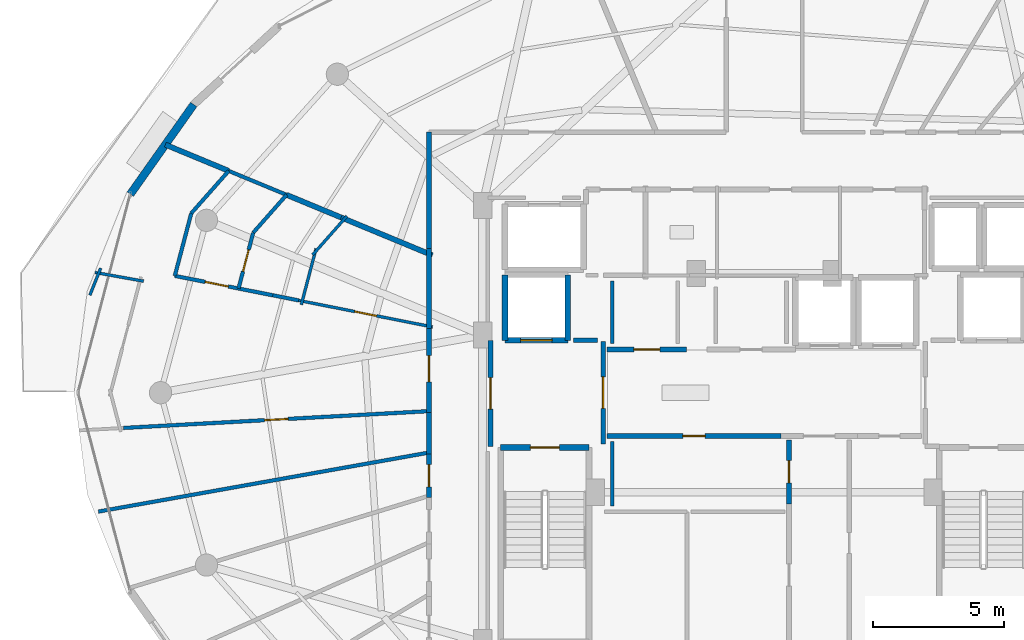
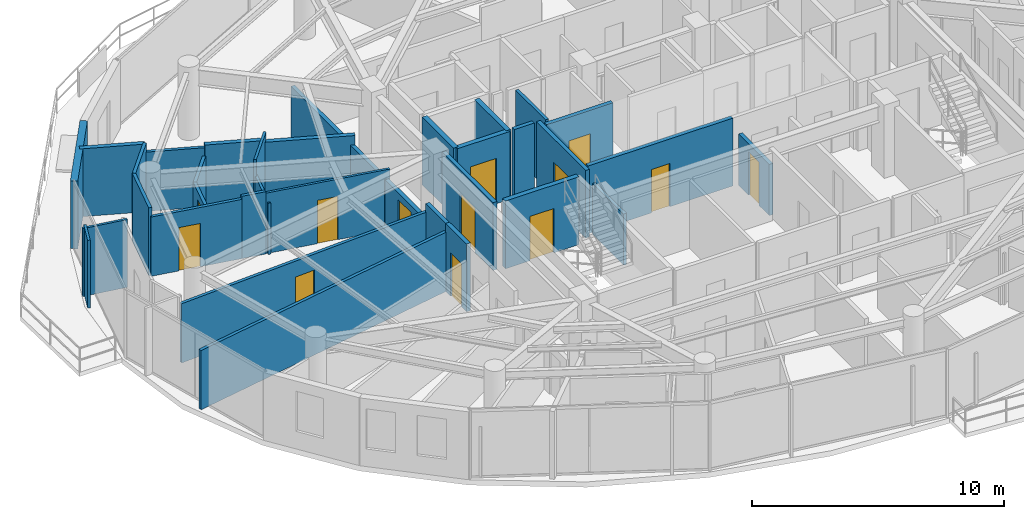
# One storey, part 21 of 29: 35 walls, 13 doors, 13 openings.
"""IFC4 building model written with IfcOpenShell, lengths in metres."""

from ifc_helpers import new_model, si_unit, direction, frame, frame_2d, origin, place, context, subcontext, project, spatial, rectangle, extrude, material, layer, layer_set, type_object, element, fill, save


model = new_model("IFC4")

# Units and contexts
model_context = context("Model", 3, precision=1e-05, world=origin(), true_north=direction((0.0, 1.0)))
body_context = subcontext(model_context, "Body", "Model", "MODEL_VIEW")
ifc_project = project(units=[si_unit("LENGTHUNIT", "METRE"), si_unit("AREAUNIT", "SQUARE_METRE"), si_unit("VOLUMEUNIT", "CUBIC_METRE"), si_unit("PLANEANGLEUNIT", "RADIAN"), si_unit("MASSUNIT", "GRAM", prefix="KILO")], contexts=[model_context])

# Site, building, storey
site_placement = place(None, origin())
site = spatial("IfcSite", under=ifc_project, at=site_placement, CompositionType="ELEMENT")
building_placement = place(site_placement, origin())
building = spatial("IfcBuilding", under=site, at=building_placement, Name="Vorneva Point Tower", CompositionType="ELEMENT")
storey_placement = place(building_placement, frame((0.0, 0.0, 259.10009765625)))
storey = spatial("IfcBuildingStorey", under=building, at=storey_placement, Name="L70", CompositionType="ELEMENT", Elevation=259.10009765625)

# Wall, opening, door
ifc_material_1 = material(Name="Concrete B60 (C50/60)", Category="concrete")
ifc_layer_1 = layer(ifc_material_1, 0.35009765625)
ifc_layer_set_1 = layer_set([ifc_layer_1], Name="Concrete B60 (C50/60)")
wall_type_1 = type_object("IfcWallType", Name="WL-CORE-350", PredefinedType="SHEAR", material=ifc_layer_set_1)
wall_1_placement = place(storey_placement, frame((28.10009765625, 28.0, 0.0), z_axis=(0.0, 0.0, 1.0), x_axis=(1.0, 0.0, 0.0)))
wall_1 = element("IfcWall", 1, at=wall_1_placement, inside=storey, type_object=wall_type_1, Name="L70 Lift FFL1 Shaft Wall -Y", PredefinedType="SHEAR", context=body_context, shape_type="SweptSolid", body=[
    extrude(rectangle(XDim=2.39990234375, YDim=0.219970703125, at=frame_2d((1.199951171875, 0.0))), origin(), (0.0, 0.0, 1.0), 3.289794921875),
])
opening_1_placement = place(wall_1_placement, frame((0.60009765625, 0.0, 0.0)))
opening_1 = element("IfcOpeningElement", 2, at=opening_1_placement, cuts=wall_1, Name="Opening LD-02", PredefinedType="OPENING", context=body_context, shape_type="SweptSolid", body=[
    extrude(rectangle(XDim=1.199951171875, YDim=2.199951171875, at=frame_2d((0.60009765625, 1.10009765625))), frame((0.0, 0.125, 0.0), z_axis=(0.0, -1.0, 0.0), x_axis=(1.0, 0.0, 0.0)), (0.0, 0.0, 1.0), 0.249755859375),
])
ifc_material_2 = material(Name="Brushed stainless steel S304", Category="steel")
door_type_1 = type_object("IfcDoorType", Name="LD-FIRE-1200", OperationType="SLIDING_TO_LEFT", PredefinedType="DOOR", material=ifc_material_2)
door_1_placement = place(opening_1_placement, origin())
door_1 = element("IfcDoor", 3, at=door_1_placement, inside=storey, type_object=door_type_1, Name="L70 Lift FFL1 Sliding Landing Door", OperationType="SLIDING_TO_LEFT", OverallHeight=2.199951171875, OverallWidth=1.199951171875, PredefinedType="DOOR", context=body_context, shape_type="SweptSolid", body=[
    extrude(rectangle(XDim=1.199951171875, YDim=2.199951171875, at=frame_2d((0.60009765625, 1.10009765625))), frame((0.0, 0.02490234375, 0.0), z_axis=(0.0, -1.0, 0.0), x_axis=(1.0, 0.0, 0.0)), (0.0, 0.0, 1.0), 0.050048828125),
])
fill(opening_1, door_1)

# Walls
for number, where, z_axis, x_axis, name in (
    (4, (30.5, 28.0, 0.0), (0.0, 0.0, 1.0), (0.0, 1.0, 0.0), "L70 Lift FFL1 Shaft Wall +X"),
    (5, (28.10009765625, 30.5, 0.0), (0.0, 0.0, 1.0), (0.0, -1.0, 0.0), "L70 Lift FFL1 Shaft Wall -X"),
):
    element("IfcWall", number, at=place(storey_placement, frame(where, z_axis=z_axis, x_axis=x_axis)), inside=storey, type_object=wall_type_1, Name=name, PredefinedType="SHEAR", context=body_context, shape_type="SweptSolid", body=[
        extrude(rectangle(XDim=2.5, YDim=0.219970703125, at=frame_2d((1.25, 0.0))), origin(), (0.0, 0.0, 1.0), 3.289794921875),
    ])
ifc_material_3 = material(Name="Precast concrete B50 (C40/50)", Category="concrete")
ifc_layer_2 = layer(ifc_material_3, 0.300048828125)
ifc_layer_set_2 = layer_set([ifc_layer_2], Name="Precast concrete B50 (C40/50)")
wall_type_2 = type_object("IfcWallType", Name="WL-EXT-300", PredefinedType="STANDARD", material=ifc_layer_set_2)
wall_2_placement = place(storey_placement, frame((16.215576171875, 37.005859375, 0.0), z_axis=(0.0, 0.0, 1.0), x_axis=(-0.577261247247, -0.816559521668, 0.0)))
element("IfcWall", 6, at=wall_2_placement, inside=storey, type_object=wall_type_2, Name="L70 Pale-Metal Facade Spandrel Wall 07.2", PredefinedType="STANDARD", context=body_context, shape_type="SweptSolid", body=[
    extrude(rectangle(XDim=4.194091796875, YDim=0.300048828125, at=frame_2d((2.09716796875, 0.0))), origin(), (0.0, 0.0, 1.0), 3.289794921875),
])

# Wall, opening, door
ifc_material_4 = material(Name="Fire-rated acoustic gypsum stud partition", Category="gypsum")
ifc_layer_3 = layer(ifc_material_4, 0.110107421875)
ifc_layer_set_3 = layer_set([ifc_layer_3], Name="Fire-rated acoustic gypsum stud partition")
wall_type_3 = type_object("IfcWallType", Name="WL-PART-110", PredefinedType="PARTITIONING", material=ifc_layer_set_3)
wall_3_placement = place(storey_placement, frame((25.33740234375, 28.5107421875, 0.0), z_axis=(0.0, 0.0, 1.0), x_axis=(-0.980930272027, 0.194359978959, 0.0)))
wall_3 = element("IfcWall", 7, at=wall_3_placement, inside=storey, type_object=wall_type_3, Name="L70 Interior Partition 072", PredefinedType="PARTITIONING", context=body_context, shape_type="SweptSolid", body=[
    extrude(rectangle(XDim=5.214111328125, YDim=0.110107421875, at=frame_2d((2.60693359375, 0.0))), origin(), (0.0, 0.0, 1.0), 2.935791015625),
])
opening_2_placement = place(wall_3_placement, frame((2.181884765625, 0.0, 0.0)))
opening_2 = element("IfcOpeningElement", 8, at=opening_2_placement, cuts=wall_3, Name="Opening ID-02", PredefinedType="OPENING", context=body_context, shape_type="SweptSolid", body=[
    extrude(rectangle(XDim=0.85009765625, YDim=2.10009765625, at=frame_2d((0.425048828125, 1.050048828125))), frame((0.0, 0.06982421875, 0.0), z_axis=(0.0, -1.0, 0.0), x_axis=(1.0, 0.0, 0.0)), (0.0, 0.0, 1.0), 0.139892578125),
])
ifc_material_5 = material(Name="Engineered oak fire-rated door leaf", Category="wood")
door_type_2 = type_object("IfcDoorType", Name="DR-BATH-850", OperationType="NOTDEFINED", PredefinedType="DOOR", material=ifc_material_5)
door_2_placement = place(opening_2_placement, origin())
door_2 = element("IfcDoor", 9, at=door_2_placement, inside=storey, type_object=door_type_2, Name="L70 Door Living and Dining Room L70-01 / Bathroom L70-01", OperationType="SINGLE_SWING_RIGHT", OverallHeight=2.10009765625, OverallWidth=0.85009765625, PredefinedType="DOOR", context=body_context, shape_type="SweptSolid", body=[
    extrude(rectangle(XDim=0.85009765625, YDim=2.10009765625, at=frame_2d((0.425048828125, 1.050048828125))), frame((0.0, 0.02490234375, 0.0), z_axis=(0.0, -1.0, 0.0), x_axis=(1.0, 0.0, 0.0)), (0.0, 0.0, 1.0), 0.050048828125),
])
fill(opening_2, door_2)

# Walls
wall_4_placement = place(storey_placement, frame((12.6630859375, 30.75390625, 0.0), z_axis=(0.0, 0.0, 1.0), x_axis=(-0.372150787983, -0.928172285195, 0.0)))
element("IfcWall", 10, at=wall_4_placement, inside=storey, type_object=wall_type_3, Name="L70 Interior Partition 073", PredefinedType="PARTITIONING", context=body_context, shape_type="SweptSolid", body=[
    extrude(rectangle(XDim=1.107421875, YDim=0.110107421875, at=frame_2d((0.5537109375, 0.0))), origin(), (0.0, 0.0, 1.0), 3.289794921875),
])
wall_5_placement = place(storey_placement, frame((12.4501953125, 30.591796875, 0.0), z_axis=(0.0, 0.0, 1.0), x_axis=(0.984212226867, -0.176992351488, 0.0)))
element("IfcWall", 11, at=wall_5_placement, inside=storey, type_object=wall_type_3, Name="L70 Interior Partition 074", PredefinedType="PARTITIONING", context=body_context, shape_type="SweptSolid", body=[
    extrude(rectangle(XDim=1.88427734375, YDim=0.110107421875, at=frame_2d((0.942138671875, 0.0))), origin(), (0.0, 0.0, 1.0), 3.289794921875),
])
wall_6_placement = place(storey_placement, frame((22.065673828125, 32.743896484375, 0.0), z_axis=(0.0, 0.0, 1.0), x_axis=(-0.662047420969, -0.749461948593, 0.0)))
element("IfcWall", 12, at=wall_6_placement, inside=storey, type_object=wall_type_3, Name="L70 Interior Partition 083", PredefinedType="PARTITIONING", context=body_context, shape_type="SweptSolid", body=[
    extrude(rectangle(XDim=1.9716796875, YDim=0.110107421875, at=frame_2d((0.98583984375, 0.0))), origin(), (0.0, 0.0, 1.0), 3.289794921875),
])
wall_7_placement = place(storey_placement, frame((20.888671875, 31.50634765625, 0.0), z_axis=(0.0, 0.0, 1.0), x_axis=(-0.254406599134, -0.967097348935, 0.0)))
element("IfcWall", 13, at=wall_7_placement, inside=storey, type_object=wall_type_3, Name="L70 Interior Partition 084", PredefinedType="PARTITIONING", context=body_context, shape_type="SweptSolid", body=[
    extrude(rectangle(XDim=2.2177734375, YDim=0.110107421875, at=frame_2d((1.10888671875, 0.0))), origin(), (0.0, 0.0, 1.0), 2.48193359375),
])

# Wall, opening, door
ifc_layer_4 = layer(ifc_material_4, 0.139892578125)
ifc_layer_set_4 = layer_set([ifc_layer_4], Name="Fire-rated acoustic gypsum stud partition")
wall_type_4 = type_object("IfcWallType", Name="WL-PART-140", PredefinedType="PARTITIONING", material=ifc_layer_set_4)
wall_8_placement = place(storey_placement, frame((19.236083984375, 29.719970703125, 0.0), z_axis=(0.0, 0.0, 1.0), x_axis=(-0.980906665774, 0.194479081243, 0.0)))
wall_8 = element("IfcWall", 14, at=wall_8_placement, inside=storey, type_object=wall_type_4, Name="L70 Interior Partition 068", PredefinedType="PARTITIONING", context=body_context, shape_type="SweptSolid", body=[
    extrude(rectangle(XDim=3.81494140625, YDim=0.139892578125, at=frame_2d((1.907470703125, 0.0))), origin(), (0.0, 0.0, 1.0), 2.8740234375),
])
opening_3_placement = place(wall_8_placement, frame((1.7373046875, 0.0, 0.0)))
opening_3 = element("IfcOpeningElement", 15, at=opening_3_placement, cuts=wall_8, Name="Opening ID-01", PredefinedType="OPENING", context=body_context, shape_type="SweptSolid", body=[
    extrude(rectangle(XDim=0.89990234375, YDim=2.10009765625, at=frame_2d((0.449951171875, 1.050048828125))), frame((0.0, 0.0849609375, 0.0), z_axis=(0.0, -1.0, 0.0), x_axis=(1.0, 0.0, 0.0)), (0.0, 0.0, 1.0), 0.169677734375),
])
door_type_3 = type_object("IfcDoorType", Name="DR-ROOM-900", OperationType="NOTDEFINED", PredefinedType="DOOR", material=ifc_material_5)
door_3_placement = place(opening_3_placement, origin())
door_3 = element("IfcDoor", 16, at=door_3_placement, inside=storey, type_object=door_type_3, Name="L70 Door Living and Dining Room L70-01 / Family Dining Room L70-01", OperationType="SINGLE_SWING_LEFT", OverallHeight=2.10009765625, OverallWidth=0.89990234375, PredefinedType="DOOR", context=body_context, shape_type="SweptSolid", body=[
    extrude(rectangle(XDim=0.89990234375, YDim=2.10009765625, at=frame_2d((0.449951171875, 1.050048828125))), frame((0.0, 0.02490234375, 0.0), z_axis=(0.0, -1.0, 0.0), x_axis=(1.0, 0.0, 0.0)), (0.0, 0.0, 1.0), 0.050048828125),
])
fill(opening_3, door_3)

# Walls
wall_9_placement = place(storey_placement, frame((15.493896484375, 30.4619140625, 0.0), z_axis=(0.0, 0.0, 1.0), x_axis=(0.254459276467, 0.967083489995, 0.0)))
element("IfcWall", 17, at=wall_9_placement, inside=storey, type_object=wall_type_4, Name="L70 Interior Partition 069", PredefinedType="PARTITIONING", context=body_context, shape_type="SweptSolid", body=[
    extrude(rectangle(XDim=2.472412109375, YDim=0.139892578125, at=frame_2d((1.236328125, 0.0))), origin(), (0.0, 0.0, 1.0), 3.289794921875),
])
wall_10_placement = place(storey_placement, frame((16.123046875, 32.85302734375, 0.0), z_axis=(0.0, 0.0, 1.0), x_axis=(0.662205183315, 0.749322557508, 0.0)))
element("IfcWall", 18, at=wall_10_placement, inside=storey, type_object=wall_type_4, Name="L70 Interior Partition 070", PredefinedType="PARTITIONING", context=body_context, shape_type="SweptSolid", body=[
    extrude(rectangle(XDim=2.157958984375, YDim=0.139892578125, at=frame_2d((1.0791015625, 0.0))), origin(), (0.0, 0.0, 1.0), 3.289794921875),
])
wall_11_placement = place(storey_placement, frame((17.552001953125, 34.469970703125, 0.0), z_axis=(0.0, 0.0, 1.0), x_axis=(0.923932252837, -0.382556129434, 0.0)))
element("IfcWall", 19, at=wall_11_placement, inside=storey, type_object=wall_type_4, Name="L70 Interior Partition 071", PredefinedType="PARTITIONING", context=body_context, shape_type="SweptSolid", body=[
    extrude(rectangle(XDim=2.391845703125, YDim=0.139892578125, at=frame_2d((1.19580078125, 0.0))), origin(), (0.0, 0.0, 1.0), 2.8740234375),
])
wall_12_placement = place(storey_placement, frame((20.22265625, 29.5244140625, 0.0), z_axis=(0.0, 0.0, 1.0), x_axis=(-0.98086901598, 0.194668881667, 0.0)))
element("IfcWall", 20, at=wall_12_placement, inside=storey, type_object=wall_type_4, Name="L70 Interior Partition 078", PredefinedType="PARTITIONING", context=body_context, shape_type="SweptSolid", body=[
    extrude(rectangle(XDim=1.005859375, YDim=0.139892578125, at=frame_2d((0.5029296875, 0.0))), origin(), (0.0, 0.0, 1.0), 3.02197265625),
])

# Wall, opening, door
wall_13_placement = place(storey_placement, frame((13.535888671875, 24.6533203125, 0.0), z_axis=(0.0, 0.0, 1.0), x_axis=(0.998485968097, 0.055007013313, 0.0)))
wall_13 = element("IfcWall", 21, at=wall_13_placement, inside=storey, type_object=wall_type_4, Name="L70 Interior Partition 079", PredefinedType="PARTITIONING", context=body_context, shape_type="SweptSolid", body=[
    extrude(rectangle(XDim=11.681640625, YDim=0.139892578125, at=frame_2d((5.8408203125, 0.0))), origin(), (0.0, 0.0, 1.0), 2.8740234375),
])
opening_4_placement = place(wall_13_placement, frame((5.390869140625, 0.0, 0.0)))
opening_4 = element("IfcOpeningElement", 22, at=opening_4_placement, cuts=wall_13, Name="Opening ID-01", PredefinedType="OPENING", context=body_context, shape_type="SweptSolid", body=[
    extrude(rectangle(XDim=0.89990234375, YDim=2.10009765625, at=frame_2d((0.449951171875, 1.050048828125))), frame((0.0, 0.0849609375, 0.0), z_axis=(0.0, -1.0, 0.0), x_axis=(1.0, 0.0, 0.0)), (0.0, 0.0, 1.0), 0.169677734375),
])
door_4_placement = place(opening_4_placement, origin())
door_4 = element("IfcDoor", 23, at=door_4_placement, inside=storey, type_object=door_type_3, Name="L70 Door Living and Dining Room L70-01 / Master Bedroom L70-01.1", OperationType="SINGLE_SWING_LEFT", OverallHeight=2.10009765625, OverallWidth=0.89990234375, PredefinedType="DOOR", context=body_context, shape_type="SweptSolid", body=[
    extrude(rectangle(XDim=0.89990234375, YDim=2.10009765625, at=frame_2d((0.449951171875, 1.050048828125))), frame((0.0, 0.02490234375, 0.0), z_axis=(0.0, -1.0, 0.0), x_axis=(1.0, 0.0, 0.0)), (0.0, 0.0, 1.0), 0.050048828125),
])
fill(opening_4, door_4)

wall_14_placement = place(storey_placement, frame((17.927001953125, 29.97998046875, 0.0), z_axis=(0.0, 0.0, 1.0), x_axis=(0.254476946675, 0.967078840432, 0.0)))
wall_14 = element("IfcWall", 24, at=wall_14_placement, inside=storey, type_object=wall_type_4, Name="L70 Interior Partition 081", PredefinedType="PARTITIONING", context=body_context, shape_type="SweptSolid", body=[
    extrude(rectangle(XDim=2.20458984375, YDim=0.139892578125, at=frame_2d((1.102294921875, 0.0))), origin(), (0.0, 0.0, 1.0), 2.48193359375),
])
opening_5_placement = place(wall_14_placement, frame((0.67724609375, 0.0, 0.0)))
opening_5 = element("IfcOpeningElement", 25, at=opening_5_placement, cuts=wall_14, Name="Opening ID-02", PredefinedType="OPENING", context=body_context, shape_type="SweptSolid", body=[
    extrude(rectangle(XDim=0.85009765625, YDim=2.10009765625, at=frame_2d((0.425048828125, 1.050048828125))), frame((0.0, 0.0849609375, 0.0), z_axis=(0.0, -1.0, 0.0), x_axis=(1.0, 0.0, 0.0)), (0.0, 0.0, 1.0), 0.169677734375),
])
door_5_placement = place(opening_5_placement, origin())
door_5 = element("IfcDoor", 26, at=door_5_placement, inside=storey, type_object=door_type_2, Name="L70 Access Door Family Dining Room L70-01", OperationType="SINGLE_SWING_RIGHT", OverallHeight=2.10009765625, OverallWidth=0.85009765625, PredefinedType="DOOR", context=body_context, shape_type="SweptSolid", body=[
    extrude(rectangle(XDim=0.85009765625, YDim=2.10009765625, at=frame_2d((0.425048828125, 1.050048828125))), frame((0.0, 0.02490234375, 0.0), z_axis=(0.0, -1.0, 0.0), x_axis=(1.0, 0.0, 0.0)), (0.0, 0.0, 1.0), 0.050048828125),
])
fill(opening_5, door_5)

# Walls
wall_15_placement = place(storey_placement, frame((18.488037109375, 32.112060546875, 0.0), z_axis=(0.0, 0.0, 1.0), x_axis=(0.661856531983, 0.749630529709, 0.0)))
element("IfcWall", 27, at=wall_15_placement, inside=storey, type_object=wall_type_4, Name="L70 Interior Partition 082", PredefinedType="PARTITIONING", context=body_context, shape_type="SweptSolid", body=[
    extrude(rectangle(XDim=1.9248046875, YDim=0.139892578125, at=frame_2d((0.96240234375, 0.0))), origin(), (0.0, 0.0, 1.0), 2.48193359375),
])
wall_16_placement = place(storey_placement, frame((12.576904296875, 21.4599609375, 0.0), z_axis=(0.0, 0.0, 1.0), x_axis=(0.984427104809, 0.175793274383, 0.0)))
element("IfcWall", 28, at=wall_16_placement, inside=storey, type_object=wall_type_4, Name="L70 Interior Partition 087", PredefinedType="PARTITIONING", context=body_context, shape_type="SweptSolid", body=[
    extrude(rectangle(XDim=12.82275390625, YDim=0.139892578125, at=frame_2d((6.411376953125, 0.0))), origin(), (0.0, 0.0, 1.0), 2.8740234375),
])
wall_17_placement = place(storey_placement, frame((32.199951171875, 30.260009765625, 0.0), z_axis=(0.0, 0.0, 1.0), x_axis=(0.0, -1.0, 0.0)))
element("IfcWall", 29, at=wall_17_placement, inside=storey, type_object=wall_type_4, Name="L70 Interior Closure Partition 147", PredefinedType="PARTITIONING", context=body_context, shape_type="SweptSolid", body=[
    extrude(rectangle(XDim=2.389892578125, YDim=0.139892578125, at=frame_2d((1.19482421875, 0.0))), origin(), (0.0, 0.0, 1.0), 3.289794921875),
])
wall_18_placement = place(storey_placement, frame((32.199951171875, 24.1298828125, 0.0), z_axis=(0.0, 0.0, 1.0), x_axis=(0.0, -1.0, 0.0)))
element("IfcWall", 30, at=wall_18_placement, inside=storey, type_object=wall_type_4, Name="L70 Interior Closure Partition 151", PredefinedType="PARTITIONING", context=body_context, shape_type="SweptSolid", body=[
    extrude(rectangle(XDim=2.4599609375, YDim=0.139892578125, at=frame_2d((1.22998046875, 0.0))), origin(), (0.0, 0.0, 1.0), 2.48193359375),
])

# Wall, opening, door
ifc_material_6 = material(Name="Autoclaved aerated concrete blockwork", Category="masonry")
ifc_layer_5 = layer(ifc_material_6, 0.179931640625)
ifc_layer_set_5 = layer_set([ifc_layer_5], Name="Autoclaved aerated concrete blockwork")
wall_type_5 = type_object("IfcWallType", Name="WL-PART-180", PredefinedType="PARTITIONING", material=ifc_layer_set_5)
wall_19_placement = place(storey_placement, frame((31.85009765625, 24.044921875, 0.0), z_axis=(0.0, 0.0, 1.0), x_axis=(0.0, 1.0, 0.0)))
wall_19 = element("IfcWall", 31, at=wall_19_placement, inside=storey, type_object=wall_type_5, Name="L70 Interior Partition 001", PredefinedType="PARTITIONING", context=body_context, shape_type="SweptSolid", body=[
    extrude(rectangle(XDim=3.91015625, YDim=0.179931640625, at=frame_2d((1.955078125, 0.0))), origin(), (0.0, 0.0, 1.0), 3.289794921875),
])
opening_6_placement = place(wall_19_placement, frame((1.35498046875, 0.0, 0.0)))
opening_6 = element("IfcOpeningElement", 32, at=opening_6_placement, cuts=wall_19, Name="Opening FD-02", PredefinedType="OPENING", context=body_context, shape_type="SweptSolid", body=[
    extrude(rectangle(XDim=1.199951171875, YDim=2.14990234375, at=frame_2d((0.60009765625, 1.074951171875))), frame((0.0, 0.10498046875, 0.0), z_axis=(0.0, -1.0, 0.0), x_axis=(1.0, 0.0, 0.0)), (0.0, 0.0, 1.0), 0.209716796875),
])
ifc_material_7 = material(Name="Fire-rated powder-coated steel", Category="steel")
door_type_4 = type_object("IfcDoorType", Name="DR-FFL-1200", OperationType="NOTDEFINED", PredefinedType="DOOR", material=ifc_material_7)
door_6_placement = place(opening_6_placement, origin())
door_6 = element("IfcDoor", 33, at=door_6_placement, inside=storey, type_object=door_type_4, Name="L70 Door West Firefighting Lobby / Central Lift Lobby", OperationType="SINGLE_SWING_LEFT", OverallHeight=2.14990234375, OverallWidth=1.199951171875, PredefinedType="DOOR", context=body_context, shape_type="SweptSolid", body=[
    extrude(rectangle(XDim=1.199951171875, YDim=2.14990234375, at=frame_2d((0.60009765625, 1.074951171875))), frame((0.0, 0.02490234375, 0.0), z_axis=(0.0, -1.0, 0.0), x_axis=(1.0, 0.0, 0.0)), (0.0, 0.0, 1.0), 0.050048828125),
])
fill(opening_6, door_6)

wall_20_placement = place(storey_placement, frame((27.550048828125, 28.0, 0.0), z_axis=(0.0, 0.0, 1.0), x_axis=(0.0, -1.0, 0.0)))
wall_20 = element("IfcWall", 34, at=wall_20_placement, inside=storey, type_object=wall_type_5, Name="L70 Interior Partition 002", PredefinedType="PARTITIONING", context=body_context, shape_type="SweptSolid", body=[
    extrude(rectangle(XDim=4.050048828125, YDim=0.179931640625, at=frame_2d((2.02490234375, 0.0))), origin(), (0.0, 0.0, 1.0), 3.289794921875),
])
opening_7_placement = place(wall_20_placement, frame((1.425048828125, 0.0, 0.0)))
opening_7 = element("IfcOpeningElement", 35, at=opening_7_placement, cuts=wall_20, Name="Opening FD-02", PredefinedType="OPENING", context=body_context, shape_type="SweptSolid", body=[
    extrude(rectangle(XDim=1.199951171875, YDim=2.14990234375, at=frame_2d((0.60009765625, 1.074951171875))), frame((0.0, 0.10498046875, 0.0), z_axis=(0.0, -1.0, 0.0), x_axis=(1.0, 0.0, 0.0)), (0.0, 0.0, 1.0), 0.209716796875),
])
door_7_placement = place(opening_7_placement, origin())
door_7 = element("IfcDoor", 36, at=door_7_placement, inside=storey, type_object=door_type_4, Name="L70 Door West Firefighting Lobby / L70 Circulation Corridor", OperationType="SINGLE_SWING_RIGHT", OverallHeight=2.14990234375, OverallWidth=1.199951171875, PredefinedType="DOOR", context=body_context, shape_type="SweptSolid", body=[
    extrude(rectangle(XDim=1.199951171875, YDim=2.14990234375, at=frame_2d((0.60009765625, 1.074951171875))), frame((0.0, 0.02490234375, 0.0), z_axis=(0.0, -1.0, 0.0), x_axis=(1.0, 0.0, 0.0)), (0.0, 0.0, 1.0), 0.050048828125),
])
fill(opening_7, door_7)

wall_21_placement = place(storey_placement, frame((35.0400390625, 27.64990234375, 0.0), z_axis=(0.0, 0.0, 1.0), x_axis=(-1.0, 0.0, 0.0)))
wall_21 = element("IfcWall", 37, at=wall_21_placement, inside=storey, type_object=wall_type_5, Name="L70 Interior Partition 012", PredefinedType="PARTITIONING", context=body_context, shape_type="SweptSolid", body=[
    extrude(rectangle(XDim=3.0400390625, YDim=0.179931640625, at=frame_2d((1.52001953125, 0.0))), origin(), (0.0, 0.0, 1.0), 3.289794921875),
])
opening_8_placement = place(wall_21_placement, frame((1.02001953125, 0.0, 0.0)))
opening_8 = element("IfcOpeningElement", 38, at=opening_8_placement, cuts=wall_21, Name="Opening UD-01", PredefinedType="OPENING", context=body_context, shape_type="SweptSolid", body=[
    extrude(rectangle(XDim=1.0, YDim=2.14990234375, at=frame_2d((0.5, 1.074951171875))), frame((0.0, 0.10498046875, 0.0), z_axis=(0.0, -1.0, 0.0), x_axis=(1.0, 0.0, 0.0)), (0.0, 0.0, 1.0), 0.209716796875),
])
door_type_5 = type_object("IfcDoorType", Name="DR-UNIT-1000", OperationType="NOTDEFINED", PredefinedType="DOOR", material=ifc_material_5)
door_8_placement = place(opening_8_placement, origin())
door_8 = element("IfcDoor", 39, at=door_8_placement, inside=storey, type_object=door_type_5, Name="L70 Door Central Lift Lobby / Reclaimed Core Lounge", OperationType="SINGLE_SWING_RIGHT", OverallHeight=2.14990234375, OverallWidth=1.0, PredefinedType="DOOR", context=body_context, shape_type="SweptSolid", body=[
    extrude(rectangle(XDim=1.0, YDim=2.14990234375, at=frame_2d((0.5, 1.074951171875))), frame((0.0, 0.02490234375, 0.0), z_axis=(0.0, -1.0, 0.0), x_axis=(1.0, 0.0, 0.0)), (0.0, 0.0, 1.0), 0.050048828125),
])
fill(opening_8, door_8)

wall_22_placement = place(storey_placement, frame((32.0, 24.35009765625, 0.0), z_axis=(0.0, 0.0, 1.0), x_axis=(1.0, 0.0, 0.0)))
wall_22 = element("IfcWall", 40, at=wall_22_placement, inside=storey, type_object=wall_type_5, Name="L70 Interior Partition 014", PredefinedType="PARTITIONING", context=body_context, shape_type="SweptSolid", body=[
    extrude(rectangle(XDim=6.64501953125, YDim=0.179931640625, at=frame_2d((3.322509765625, 0.0))), origin(), (0.0, 0.0, 1.0), 3.289794921875),
])
opening_9_placement = place(wall_22_placement, frame((2.8974609375, 0.0, 0.0)))
opening_9 = element("IfcOpeningElement", 41, at=opening_9_placement, cuts=wall_22, Name="Opening ID-02", PredefinedType="OPENING", context=body_context, shape_type="SweptSolid", body=[
    extrude(rectangle(XDim=0.85009765625, YDim=2.10009765625, at=frame_2d((0.425048828125, 1.050048828125))), frame((0.0, 0.10498046875, 0.0), z_axis=(0.0, -1.0, 0.0), x_axis=(1.0, 0.0, 0.0)), (0.0, 0.0, 1.0), 0.209716796875),
])
door_9_placement = place(opening_9_placement, origin())
door_9 = element("IfcDoor", 42, at=door_9_placement, inside=storey, type_object=door_type_2, Name="L70 Door Central Lift Lobby / Reclaimed High-Zone Wine Vault", OperationType="SINGLE_SWING_RIGHT", OverallHeight=2.10009765625, OverallWidth=0.85009765625, PredefinedType="DOOR", context=body_context, shape_type="SweptSolid", body=[
    extrude(rectangle(XDim=0.85009765625, YDim=2.10009765625, at=frame_2d((0.425048828125, 1.050048828125))), frame((0.0, 0.02490234375, 0.0), z_axis=(0.0, -1.0, 0.0), x_axis=(1.0, 0.0, 0.0)), (0.0, 0.0, 1.0), 0.050048828125),
])
fill(opening_9, door_9)

wall_23_placement = place(storey_placement, frame((38.949951171875, 24.199951171875, 0.0), z_axis=(0.0, 0.0, 1.0), x_axis=(0.0, -1.0, 0.0)))
wall_23 = element("IfcWall", 43, at=wall_23_placement, inside=storey, type_object=wall_type_5, Name="L70 Interior Partition 017", PredefinedType="PARTITIONING", context=body_context, shape_type="SweptSolid", body=[
    extrude(rectangle(XDim=2.445068359375, YDim=0.179931640625, at=frame_2d((1.22265625, 0.0))), origin(), (0.0, 0.0, 1.0), 2.48193359375),
])
opening_10_placement = place(wall_23_placement, frame((0.797607421875, 0.0, 0.0)))
opening_10 = element("IfcOpeningElement", 44, at=opening_10_placement, cuts=wall_23, Name="Opening ID-02", PredefinedType="OPENING", context=body_context, shape_type="SweptSolid", body=[
    extrude(rectangle(XDim=0.85009765625, YDim=2.10009765625, at=frame_2d((0.425048828125, 1.050048828125))), frame((0.0, 0.10498046875, 0.0), z_axis=(0.0, -1.0, 0.0), x_axis=(1.0, 0.0, 0.0)), (0.0, 0.0, 1.0), 0.209716796875),
])
door_10_placement = place(opening_10_placement, origin())
door_10 = element("IfcDoor", 45, at=door_10_placement, inside=storey, type_object=door_type_2, Name="L70 Door Core Service Lobby / Reclaimed High-Zone Wine Vault", OperationType="SINGLE_SWING_LEFT", OverallHeight=2.10009765625, OverallWidth=0.85009765625, PredefinedType="DOOR", context=body_context, shape_type="SweptSolid", body=[
    extrude(rectangle(XDim=0.85009765625, YDim=2.10009765625, at=frame_2d((0.425048828125, 1.050048828125))), frame((0.0, 0.02490234375, 0.0), z_axis=(0.0, -1.0, 0.0), x_axis=(1.0, 0.0, 0.0)), (0.0, 0.0, 1.0), 0.050048828125),
])
fill(opening_10, door_10)

wall_24_placement = place(storey_placement, frame((25.199951171875, 28.59912109375, 0.0), z_axis=(0.0, 0.0, 1.0), x_axis=(0.0, -1.0, 0.0)))
wall_24 = element("IfcWall", 46, at=wall_24_placement, inside=storey, type_object=wall_type_5, Name="L70 Interior Partition 033", PredefinedType="PARTITIONING", context=body_context, shape_type="SweptSolid", body=[
    extrude(rectangle(XDim=3.363037109375, YDim=0.179931640625, at=frame_2d((1.681640625, 0.0))), origin(), (0.0, 0.0, 1.0), 2.48193359375),
])
opening_11_placement = place(wall_24_placement, frame((1.181396484375, 0.0, 0.0)))
opening_11 = element("IfcOpeningElement", 47, at=opening_11_placement, cuts=wall_24, Name="Opening UD-01", PredefinedType="OPENING", context=body_context, shape_type="SweptSolid", body=[
    extrude(rectangle(XDim=1.0, YDim=2.14990234375, at=frame_2d((0.5, 1.074951171875))), frame((0.0, 0.10498046875, 0.0), z_axis=(0.0, -1.0, 0.0), x_axis=(1.0, 0.0, 0.0)), (0.0, 0.0, 1.0), 0.209716796875),
])
door_11_placement = place(opening_11_placement, origin())
door_11 = element("IfcDoor", 48, at=door_11_placement, inside=storey, type_object=door_type_5, Name="L70 Door L70 Circulation Corridor / Living and Dining Room L70-01", OperationType="SINGLE_SWING_LEFT", OverallHeight=2.14990234375, OverallWidth=1.0, PredefinedType="DOOR", context=body_context, shape_type="SweptSolid", body=[
    extrude(rectangle(XDim=1.0, YDim=2.14990234375, at=frame_2d((0.5, 1.074951171875))), frame((0.0, 0.02490234375, 0.0), z_axis=(0.0, -1.0, 0.0), x_axis=(1.0, 0.0, 0.0)), (0.0, 0.0, 1.0), 0.050048828125),
])
fill(opening_11, door_11)

# Walls
wall_25_placement = place(storey_placement, frame((25.199951171875, 31.507080078125, 0.0), z_axis=(0.0, 0.0, 1.0), x_axis=(0.0, -1.0, 0.0)))
element("IfcWall", 49, at=wall_25_placement, inside=storey, type_object=wall_type_5, Name="L70 Interior Partition 034", PredefinedType="PARTITIONING", context=body_context, shape_type="SweptSolid", body=[
    extrude(rectangle(XDim=3.048095703125, YDim=0.179931640625, at=frame_2d((1.52392578125, 0.0))), origin(), (0.0, 0.0, 1.0), 2.48193359375),
])
wall_26_placement = place(storey_placement, frame((25.199951171875, 25.236083984375, 0.0), z_axis=(0.0, 0.0, 1.0), x_axis=(0.0, -1.0, 0.0)))
element("IfcWall", 50, at=wall_26_placement, inside=storey, type_object=wall_type_5, Name="L70 Interior Partition 035", PredefinedType="PARTITIONING", context=body_context, shape_type="SweptSolid", body=[
    extrude(rectangle(XDim=1.5830078125, YDim=0.179931640625, at=frame_2d((0.79150390625, 0.0))), origin(), (0.0, 0.0, 1.0), 3.289794921875),
])

# Wall, opening, door
wall_27_placement = place(storey_placement, frame((25.199951171875, 23.653076171875, 0.0), z_axis=(0.0, 0.0, 1.0), x_axis=(0.0, -1.0, 0.0)))
wall_27 = element("IfcWall", 51, at=wall_27_placement, inside=storey, type_object=wall_type_5, Name="L70 Interior Partition 036", PredefinedType="PARTITIONING", context=body_context, shape_type="SweptSolid", body=[
    extrude(rectangle(XDim=1.654052734375, YDim=0.179931640625, at=frame_2d((0.8271484375, 0.0))), origin(), (0.0, 0.0, 1.0), 3.289794921875),
])
opening_12_placement = place(wall_27_placement, frame((0.402099609375, 0.0, 0.0)))
opening_12 = element("IfcOpeningElement", 52, at=opening_12_placement, cuts=wall_27, Name="Opening ID-02", PredefinedType="OPENING", context=body_context, shape_type="SweptSolid", body=[
    extrude(rectangle(XDim=0.85009765625, YDim=2.10009765625, at=frame_2d((0.425048828125, 1.050048828125))), frame((0.0, 0.10498046875, 0.0), z_axis=(0.0, -1.0, 0.0), x_axis=(1.0, 0.0, 0.0)), (0.0, 0.0, 1.0), 0.209716796875),
])
door_12_placement = place(opening_12_placement, origin())
door_12 = element("IfcDoor", 53, at=door_12_placement, inside=storey, type_object=door_type_2, Name="L70 Access Door L70 Circulation Corridor", OperationType="SINGLE_SWING_RIGHT", OverallHeight=2.10009765625, OverallWidth=0.85009765625, PredefinedType="DOOR", context=body_context, shape_type="SweptSolid", body=[
    extrude(rectangle(XDim=0.85009765625, YDim=2.10009765625, at=frame_2d((0.425048828125, 1.050048828125))), frame((0.0, 0.02490234375, 0.0), z_axis=(0.0, -1.0, 0.0), x_axis=(1.0, 0.0, 0.0)), (0.0, 0.0, 1.0), 0.050048828125),
])
fill(opening_12, door_12)

# Walls
wall_28_placement = place(storey_placement, frame((25.199951171875, 35.949951171875, 0.0), z_axis=(0.0, 0.0, 1.0), x_axis=(0.0, -1.0, 0.0)))
element("IfcWall", 54, at=wall_28_placement, inside=storey, type_object=wall_type_5, Name="L70 Interior Partition 067", PredefinedType="PARTITIONING", context=body_context, shape_type="SweptSolid", body=[
    extrude(rectangle(XDim=4.44287109375, YDim=0.179931640625, at=frame_2d((2.221435546875, 0.0))), origin(), (0.0, 0.0, 1.0), 2.48193359375),
])
wall_29_placement = place(storey_placement, frame((31.635009765625, 28.0, 0.0), z_axis=(0.0, 0.0, 1.0), x_axis=(-1.0, 0.0, 0.0)))
element("IfcWall", 55, at=wall_29_placement, inside=storey, type_object=wall_type_5, Name="L70 Interior Closure Partition 141", PredefinedType="PARTITIONING", context=body_context, shape_type="SweptSolid", body=[
    extrude(rectangle(XDim=0.9150390625, YDim=0.179931640625, at=frame_2d((0.45751953125, 0.0))), origin(), (0.0, 0.0, 1.0), 3.289794921875),
])
ifc_layer_6 = layer(ifc_material_6, 0.199951171875)
ifc_layer_set_6 = layer_set([ifc_layer_6], Name="Autoclaved aerated concrete blockwork")
wall_type_6 = type_object("IfcWallType", Name="WL-PART-200", PredefinedType="PARTITIONING", material=ifc_layer_set_6)
wall_30_placement = place(storey_placement, frame((17.552001953125, 34.47021484375, 0.0), z_axis=(0.0, 0.0, 1.0), x_axis=(-0.9239134198, 0.382601610965, 0.0)))
element("IfcWall", 56, at=wall_30_placement, inside=storey, type_object=wall_type_6, Name="L70 Interior Partition 080", PredefinedType="PARTITIONING", context=body_context, shape_type="SweptSolid", body=[
    extrude(rectangle(XDim=2.6181640625, YDim=0.199951171875, at=frame_2d((1.30908203125, 0.0))), origin(), (0.0, 0.0, 1.0), 3.289794921875),
])
wall_31_placement = place(storey_placement, frame((25.329345703125, 31.248291015625, 0.0), z_axis=(0.0, 0.0, 1.0), x_axis=(-0.923827524065, 0.382808967736, 0.0)))
element("IfcWall", 57, at=wall_31_placement, inside=storey, type_object=wall_type_6, Name="L70 Interior Partition 085", PredefinedType="PARTITIONING", context=body_context, shape_type="SweptSolid", body=[
    extrude(rectangle(XDim=3.77294921875, YDim=0.199951171875, at=frame_2d((1.886474609375, 0.0))), origin(), (0.0, 0.0, 1.0), 2.935791015625),
])
wall_32_placement = place(storey_placement, frame((21.84375, 32.692626953125, 0.0), z_axis=(0.0, 0.0, 1.0), x_axis=(-0.92387949598, 0.382683520559, 0.0)))
element("IfcWall", 58, at=wall_32_placement, inside=storey, type_object=wall_type_6, Name="L70 Interior Partition 086", PredefinedType="PARTITIONING", context=body_context, shape_type="SweptSolid", body=[
    extrude(rectangle(XDim=2.25341796875, YDim=0.199951171875, at=frame_2d((1.126708984375, 0.0))), origin(), (0.0, 0.0, 1.0), 3.02197265625),
])

# Wall, opening, door
ifc_material_8 = material(Name="Concrete B50 (C40/50)", Category="concrete")
ifc_layer_7 = layer(ifc_material_8, 0.219970703125)
ifc_layer_set_7 = layer_set([ifc_layer_7], Name="Concrete B50 (C40/50)")
wall_type_7 = type_object("IfcWallType", Name="WL-SHFT-220", PredefinedType="SOLIDWALL", material=ifc_layer_set_7)
wall_33_placement = place(storey_placement, frame((27.93994140625, 23.909912109375, 0.0), z_axis=(0.0, 0.0, 1.0), x_axis=(1.0, 0.0, 0.0)))
wall_33 = element("IfcWall", 59, at=wall_33_placement, inside=storey, type_object=wall_type_7, Name="L70 Exit Stair ST1 Shaft Wall near", PredefinedType="SOLIDWALL", context=body_context, shape_type="SweptSolid", body=[
    extrude(rectangle(XDim=3.3701171875, YDim=0.219970703125, at=frame_2d((1.68505859375, 0.0))), origin(), (0.0, 0.0, 1.0), 3.289794921875),
])
opening_13_placement = place(wall_33_placement, frame((1.135009765625, 0.0, 0.0)))
opening_13 = element("IfcOpeningElement", 60, at=opening_13_placement, cuts=wall_33, Name="Opening FD-01", PredefinedType="OPENING", context=body_context, shape_type="SweptSolid", body=[
    extrude(rectangle(XDim=1.10009765625, YDim=2.14990234375, at=frame_2d((0.550048828125, 1.074951171875))), frame((0.0, 0.125, 0.0), z_axis=(0.0, -1.0, 0.0), x_axis=(1.0, 0.0, 0.0)), (0.0, 0.0, 1.0), 0.249755859375),
])
door_type_6 = type_object("IfcDoorType", Name="DR-STAIR-1100", OperationType="NOTDEFINED", PredefinedType="DOOR", material=ifc_material_7)
door_13_placement = place(opening_13_placement, origin())
door_13 = element("IfcDoor", 61, at=door_13_placement, inside=storey, type_object=door_type_6, Name="L70 Exit Stair ST1 Fire Door", OperationType="SINGLE_SWING_RIGHT", OverallHeight=2.14990234375, OverallWidth=1.10009765625, PredefinedType="DOOR", context=body_context, shape_type="SweptSolid", body=[
    extrude(rectangle(XDim=1.10009765625, YDim=2.14990234375, at=frame_2d((0.550048828125, 1.074951171875))), frame((0.0, 0.02490234375, 0.0), z_axis=(0.0, -1.0, 0.0), x_axis=(1.0, 0.0, 0.0)), (0.0, 0.0, 1.0), 0.050048828125),
])
fill(opening_13, door_13)

save(model, "model.ifc")
